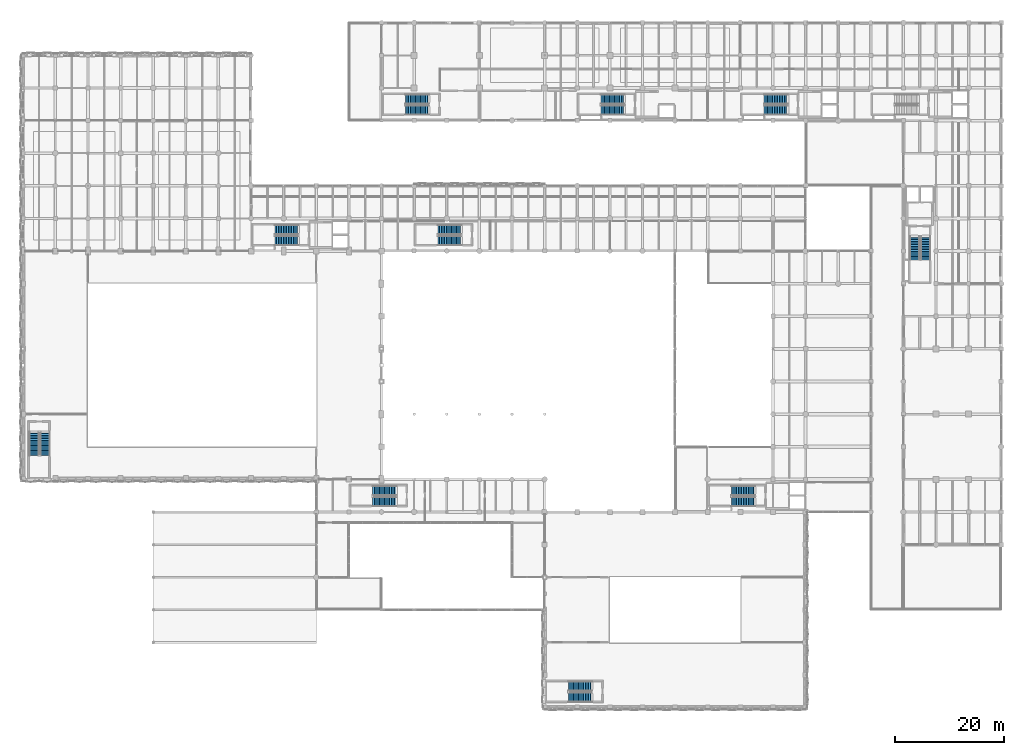
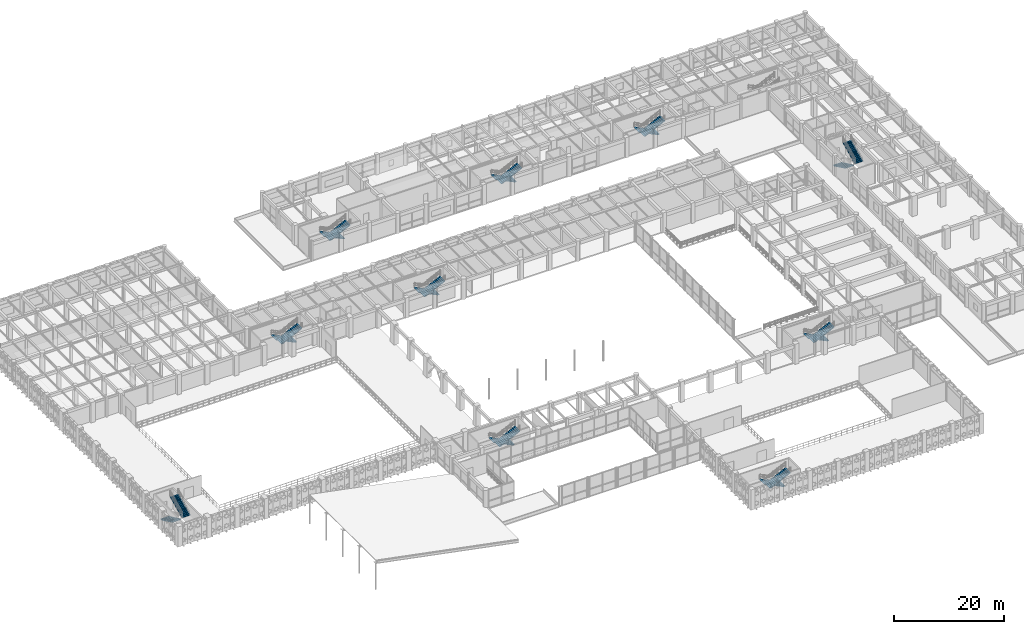
# One storey, part 110 of 133: 20 stair flights, 10 elements without a shape of their own.
"""IFC4 building model written with IfcOpenShell, lengths in metres."""

from ifc_helpers import new_model, si_unit, direction, frame, origin, place, context, subcontext, project, spatial, polyline, outline, extrude, material, type_object, element, aggregate, save


model = new_model("IFC4")

# Units and contexts
model_context = context("Model", 3, precision=1e-05, world=origin(), true_north=direction((0.0, 1.0)))
body_context = subcontext(model_context, "Body", "Model", "MODEL_VIEW")
ifc_project = project(units=[si_unit("LENGTHUNIT", "METRE"), si_unit("AREAUNIT", "SQUARE_METRE"), si_unit("VOLUMEUNIT", "CUBIC_METRE"), si_unit("PLANEANGLEUNIT", "RADIAN"), si_unit("MASSUNIT", "GRAM", prefix="KILO"), si_unit("THERMODYNAMICTEMPERATUREUNIT", "KELVIN"), si_unit("POWERUNIT", "WATT")], contexts=[model_context])

# Site, building, storey
site_placement = place(None, origin())
site = spatial("IfcSite", under=ifc_project, at=site_placement, CompositionType="ELEMENT")
building_placement = place(site_placement, origin())
building = spatial("IfcBuilding", under=site, at=building_placement, Name="Phaisarnlok Congress Hotel", CompositionType="ELEMENT")
storey_placement = place(building_placement, frame((0.0, 0.0, 6.0)))
storey = spatial("IfcBuildingStorey", under=building, at=storey_placement, Name="L01", CompositionType="ELEMENT", Elevation=6.0)

# Stair, stair flights
ifc_material = material(Name="Concrete C40/50", Category="concrete")
stair_type = type_object("IfcStairType", Name="STR-DOG-03", PredefinedType="HALF_TURN_STAIR", material=ifc_material)
stair_1_placement = place(storey_placement, origin())
stair_1 = element("IfcStair", 1, at=stair_1_placement, inside=storey, type_object=stair_type, Name="L01 ST-01", PredefinedType="HALF_TURN_STAIR")
stair_flight_type = type_object("IfcStairFlightType", Name="SFL-RC-03", PredefinedType="STRAIGHT", material=ifc_material)
stair_flight_1_placement = place(storey_placement, frame((50.719970703125, 87.909912109375, 0.0), z_axis=(0.0, 0.0, 1.0), x_axis=(-1.0, 0.0, 0.0)))
stair_flight_1 = element("IfcStairFlight", 2, at=stair_flight_1_placement, type_object=stair_flight_type, Name="ST-01 flight 1", NumberOfRisers=15, NumberOfTreads=14, PredefinedType="STRAIGHT", RiserHeight=0.15, TreadLength=0.31, context=body_context, shape_type="SweptSolid", body=[
    extrude(outline(polyline([(0.0, 0.0), (0.0, 0.14990234375), (0.31005859375, 0.14990234375), (0.31005859375, 0.300048828125), (0.6201171875, 0.300048828125), (0.6201171875, 0.449951171875), (0.929931640625, 0.449951171875), (0.929931640625, 0.60009765625), (1.239990234375, 0.60009765625), (1.239990234375, 0.75), (1.550048828125, 0.75), (1.550048828125, 0.89990234375), (1.860107421875, 0.89990234375), (1.860107421875, 1.050048828125), (2.169921875, 1.050048828125), (2.169921875, 1.199951171875), (2.47998046875, 1.199951171875), (2.47998046875, 1.35009765625), (2.7900390625, 1.35009765625), (2.7900390625, 1.5), (3.10009765625, 1.5), (3.10009765625, 1.64990234375), (3.409912109375, 1.64990234375), (3.409912109375, 1.800048828125), (3.719970703125, 1.800048828125), (3.719970703125, 1.949951171875), (4.030029296875, 1.949951171875), (4.030029296875, 2.10009765625), (4.340087890625, 2.10009765625), (4.340087890625, 2.25), (4.340087890625, 1.933349609375), (0.34423828125, 0.0), (0.0, 0.0)])), frame((0.0, 0.89013671875, 0.0), z_axis=(0.0, -1.0, 0.0), x_axis=(1.0, 0.0, 0.0)), (0.0, 0.0, 1.0), 1.780029296875),
])
stair_flight_2_placement = place(storey_placement, frame((46.3798828125, 85.889892578125, 2.25), z_axis=(0.0, 0.0, 1.0), x_axis=(1.0, 0.0, 0.0)))
stair_flight_2 = element("IfcStairFlight", 3, at=stair_flight_2_placement, type_object=stair_flight_type, Name="ST-01 flight 2", NumberOfRisers=15, NumberOfTreads=14, PredefinedType="STRAIGHT", RiserHeight=0.15, TreadLength=0.31, context=body_context, shape_type="SweptSolid", body=[
    extrude(outline(polyline([(0.0, 0.0), (0.0, 0.14990234375), (0.31005859375, 0.14990234375), (0.31005859375, 0.300048828125), (0.6201171875, 0.300048828125), (0.6201171875, 0.449951171875), (0.929931640625, 0.449951171875), (0.929931640625, 0.60009765625), (1.239990234375, 0.60009765625), (1.239990234375, 0.75), (1.550048828125, 0.75), (1.550048828125, 0.89990234375), (1.860107421875, 0.89990234375), (1.860107421875, 1.050048828125), (2.169921875, 1.050048828125), (2.169921875, 1.199951171875), (2.47998046875, 1.199951171875), (2.47998046875, 1.35009765625), (2.7900390625, 1.35009765625), (2.7900390625, 1.5), (3.10009765625, 1.5), (3.10009765625, 1.64990234375), (3.409912109375, 1.64990234375), (3.409912109375, 1.800048828125), (3.719970703125, 1.800048828125), (3.719970703125, 1.949951171875), (4.030029296875, 1.949951171875), (4.030029296875, 2.10009765625), (4.340087890625, 2.10009765625), (4.340087890625, 2.25), (4.340087890625, 1.933349609375), (0.34423828125, 0.0), (0.0, 0.0)])), frame((0.0, 0.89013671875, 0.0), z_axis=(0.0, -1.0, 0.0), x_axis=(1.0, 0.0, 0.0)), (0.0, 0.0, 1.0), 1.780029296875),
])
aggregate(stair_1, [stair_flight_1, stair_flight_2])

stair_2_placement = place(storey_placement, origin())
stair_2 = element("IfcStair", 4, at=stair_2_placement, inside=storey, type_object=stair_type, Name="L01 ST-02", PredefinedType="HALF_TURN_STAIR")
stair_flight_3_placement = place(storey_placement, frame((134.719970703125, 39.909912109375, 0.0), z_axis=(0.0, 0.0, 1.0), x_axis=(-1.0, 0.0, 0.0)))
stair_flight_3 = element("IfcStairFlight", 5, at=stair_flight_3_placement, type_object=stair_flight_type, Name="ST-02 flight 1", NumberOfRisers=15, NumberOfTreads=14, PredefinedType="STRAIGHT", RiserHeight=0.15, TreadLength=0.31, context=body_context, shape_type="SweptSolid", body=[
    extrude(outline(polyline([(0.0, 0.0), (0.0, 0.14990234375), (0.31005859375, 0.14990234375), (0.31005859375, 0.300048828125), (0.6201171875, 0.300048828125), (0.6201171875, 0.449951171875), (0.929931640625, 0.449951171875), (0.929931640625, 0.60009765625), (1.239990234375, 0.60009765625), (1.239990234375, 0.75), (1.550048828125, 0.75), (1.550048828125, 0.89990234375), (1.860107421875, 0.89990234375), (1.860107421875, 1.050048828125), (2.169921875, 1.050048828125), (2.169921875, 1.199951171875), (2.47998046875, 1.199951171875), (2.47998046875, 1.35009765625), (2.7900390625, 1.35009765625), (2.7900390625, 1.5), (3.10009765625, 1.5), (3.10009765625, 1.64990234375), (3.409912109375, 1.64990234375), (3.409912109375, 1.800048828125), (3.719970703125, 1.800048828125), (3.719970703125, 1.949951171875), (4.030029296875, 1.949951171875), (4.030029296875, 2.10009765625), (4.340087890625, 2.10009765625), (4.340087890625, 2.25), (4.340087890625, 1.933349609375), (0.34423828125, 0.0), (0.0, 0.0)])), frame((0.0, 0.89013671875, 0.0), z_axis=(0.0, -1.0, 0.0), x_axis=(1.0, 0.0, 0.0)), (0.0, 0.0, 1.0), 1.780029296875),
])
stair_flight_4_placement = place(storey_placement, frame((130.3798828125, 37.889892578125, 2.25), z_axis=(0.0, 0.0, 1.0), x_axis=(1.0, 0.0, 0.0)))
stair_flight_4 = element("IfcStairFlight", 6, at=stair_flight_4_placement, type_object=stair_flight_type, Name="ST-02 flight 2", NumberOfRisers=15, NumberOfTreads=14, PredefinedType="STRAIGHT", RiserHeight=0.15, TreadLength=0.31, context=body_context, shape_type="SweptSolid", body=[
    extrude(outline(polyline([(0.0, 0.0), (0.0, 0.14990234375), (0.31005859375, 0.14990234375), (0.31005859375, 0.300048828125), (0.6201171875, 0.300048828125), (0.6201171875, 0.449951171875), (0.929931640625, 0.449951171875), (0.929931640625, 0.60009765625), (1.239990234375, 0.60009765625), (1.239990234375, 0.75), (1.550048828125, 0.75), (1.550048828125, 0.89990234375), (1.860107421875, 0.89990234375), (1.860107421875, 1.050048828125), (2.169921875, 1.050048828125), (2.169921875, 1.199951171875), (2.47998046875, 1.199951171875), (2.47998046875, 1.35009765625), (2.7900390625, 1.35009765625), (2.7900390625, 1.5), (3.10009765625, 1.5), (3.10009765625, 1.64990234375), (3.409912109375, 1.64990234375), (3.409912109375, 1.800048828125), (3.719970703125, 1.800048828125), (3.719970703125, 1.949951171875), (4.030029296875, 1.949951171875), (4.030029296875, 2.10009765625), (4.340087890625, 2.10009765625), (4.340087890625, 2.25), (4.340087890625, 1.933349609375), (0.34423828125, 0.0), (0.0, 0.0)])), frame((0.0, 0.89013671875, 0.0), z_axis=(0.0, -1.0, 0.0), x_axis=(1.0, 0.0, 0.0)), (0.0, 0.0, 1.0), 1.780029296875),
])
aggregate(stair_2, [stair_flight_3, stair_flight_4])

stair_3_placement = place(storey_placement, origin())
stair_3 = element("IfcStair", 7, at=stair_3_placement, inside=storey, type_object=stair_type, Name="L01 ST-03", PredefinedType="HALF_TURN_STAIR")
stair_flight_5_placement = place(storey_placement, frame((2.090087890625, 50.719970703125, 0.0), z_axis=(0.0, 0.0, 1.0), x_axis=(0.0, -1.0, 0.0)))
stair_flight_5 = element("IfcStairFlight", 8, at=stair_flight_5_placement, type_object=stair_flight_type, Name="ST-03 flight 1", NumberOfRisers=15, NumberOfTreads=14, PredefinedType="STRAIGHT", RiserHeight=0.15, TreadLength=0.31, context=body_context, shape_type="SweptSolid", body=[
    extrude(outline(polyline([(0.0, 0.0), (0.0, 0.14990234375), (0.31005859375, 0.14990234375), (0.31005859375, 0.300048828125), (0.6201171875, 0.300048828125), (0.6201171875, 0.449951171875), (0.929931640625, 0.449951171875), (0.929931640625, 0.60009765625), (1.239990234375, 0.60009765625), (1.239990234375, 0.75), (1.550048828125, 0.75), (1.550048828125, 0.89990234375), (1.860107421875, 0.89990234375), (1.860107421875, 1.050048828125), (2.169921875, 1.050048828125), (2.169921875, 1.199951171875), (2.47998046875, 1.199951171875), (2.47998046875, 1.35009765625), (2.7900390625, 1.35009765625), (2.7900390625, 1.5), (3.10009765625, 1.5), (3.10009765625, 1.64990234375), (3.409912109375, 1.64990234375), (3.409912109375, 1.800048828125), (3.719970703125, 1.800048828125), (3.719970703125, 1.949951171875), (4.030029296875, 1.949951171875), (4.030029296875, 2.10009765625), (4.340087890625, 2.10009765625), (4.340087890625, 2.25), (4.340087890625, 1.933349609375), (0.34423828125, 0.0), (0.0, 0.0)])), frame((0.0, 0.89013671875, 0.0), z_axis=(0.0, -1.0, 0.0), x_axis=(1.0, 0.0, 0.0)), (0.0, 0.0, 1.0), 1.780029296875),
])
stair_flight_6_placement = place(storey_placement, frame((4.110107421875, 46.3798828125, 2.25), z_axis=(0.0, 0.0, 1.0), x_axis=(0.0, 1.0, 0.0)))
stair_flight_6 = element("IfcStairFlight", 9, at=stair_flight_6_placement, type_object=stair_flight_type, Name="ST-03 flight 2", NumberOfRisers=15, NumberOfTreads=14, PredefinedType="STRAIGHT", RiserHeight=0.15, TreadLength=0.31, context=body_context, shape_type="SweptSolid", body=[
    extrude(outline(polyline([(0.0, 0.0), (0.0, 0.14990234375), (0.31005859375, 0.14990234375), (0.31005859375, 0.300048828125), (0.6201171875, 0.300048828125), (0.6201171875, 0.449951171875), (0.929931640625, 0.449951171875), (0.929931640625, 0.60009765625), (1.239990234375, 0.60009765625), (1.239990234375, 0.75), (1.550048828125, 0.75), (1.550048828125, 0.89990234375), (1.860107421875, 0.89990234375), (1.860107421875, 1.050048828125), (2.169921875, 1.050048828125), (2.169921875, 1.199951171875), (2.47998046875, 1.199951171875), (2.47998046875, 1.35009765625), (2.7900390625, 1.35009765625), (2.7900390625, 1.5), (3.10009765625, 1.5), (3.10009765625, 1.64990234375), (3.409912109375, 1.64990234375), (3.409912109375, 1.800048828125), (3.719970703125, 1.800048828125), (3.719970703125, 1.949951171875), (4.030029296875, 1.949951171875), (4.030029296875, 2.10009765625), (4.340087890625, 2.10009765625), (4.340087890625, 2.25), (4.340087890625, 1.933349609375), (0.34423828125, 0.0), (0.0, 0.0)])), frame((0.0, 0.89013671875, 0.0), z_axis=(0.0, -1.0, 0.0), x_axis=(1.0, 0.0, 0.0)), (0.0, 0.0, 1.0), 1.780029296875),
])
aggregate(stair_3, [stair_flight_5, stair_flight_6])

stair_4_placement = place(storey_placement, origin())
stair_4 = element("IfcStair", 10, at=stair_4_placement, inside=storey, type_object=stair_type, Name="L01 ST-04", PredefinedType="HALF_TURN_STAIR")
stair_flight_7_placement = place(storey_placement, frame((104.719970703125, 3.909912109375, 0.0), z_axis=(0.0, 0.0, 1.0), x_axis=(-1.0, 0.0, 0.0)))
stair_flight_7 = element("IfcStairFlight", 11, at=stair_flight_7_placement, type_object=stair_flight_type, Name="ST-04 flight 1", NumberOfRisers=15, NumberOfTreads=14, PredefinedType="STRAIGHT", RiserHeight=0.15, TreadLength=0.31, context=body_context, shape_type="SweptSolid", body=[
    extrude(outline(polyline([(0.0, 0.0), (0.0, 0.14990234375), (0.31005859375, 0.14990234375), (0.31005859375, 0.300048828125), (0.6201171875, 0.300048828125), (0.6201171875, 0.449951171875), (0.929931640625, 0.449951171875), (0.929931640625, 0.60009765625), (1.239990234375, 0.60009765625), (1.239990234375, 0.75), (1.550048828125, 0.75), (1.550048828125, 0.89990234375), (1.860107421875, 0.89990234375), (1.860107421875, 1.050048828125), (2.169921875, 1.050048828125), (2.169921875, 1.199951171875), (2.47998046875, 1.199951171875), (2.47998046875, 1.35009765625), (2.7900390625, 1.35009765625), (2.7900390625, 1.5), (3.10009765625, 1.5), (3.10009765625, 1.64990234375), (3.409912109375, 1.64990234375), (3.409912109375, 1.800048828125), (3.719970703125, 1.800048828125), (3.719970703125, 1.949951171875), (4.030029296875, 1.949951171875), (4.030029296875, 2.10009765625), (4.340087890625, 2.10009765625), (4.340087890625, 2.25), (4.340087890625, 1.933349609375), (0.34423828125, 0.0), (0.0, 0.0)])), frame((0.0, 0.89013671875, 0.0), z_axis=(0.0, -1.0, 0.0), x_axis=(1.0, 0.0, 0.0)), (0.0, 0.0, 1.0), 1.780029296875),
])
stair_flight_8_placement = place(storey_placement, frame((100.3798828125, 1.889892578125, 2.25), z_axis=(0.0, 0.0, 1.0), x_axis=(1.0, 0.0, 0.0)))
stair_flight_8 = element("IfcStairFlight", 12, at=stair_flight_8_placement, type_object=stair_flight_type, Name="ST-04 flight 2", NumberOfRisers=15, NumberOfTreads=14, PredefinedType="STRAIGHT", RiserHeight=0.15, TreadLength=0.31, context=body_context, shape_type="SweptSolid", body=[
    extrude(outline(polyline([(0.0, 0.0), (0.0, 0.14990234375), (0.31005859375, 0.14990234375), (0.31005859375, 0.300048828125), (0.6201171875, 0.300048828125), (0.6201171875, 0.449951171875), (0.929931640625, 0.449951171875), (0.929931640625, 0.60009765625), (1.239990234375, 0.60009765625), (1.239990234375, 0.75), (1.550048828125, 0.75), (1.550048828125, 0.89990234375), (1.860107421875, 0.89990234375), (1.860107421875, 1.050048828125), (2.169921875, 1.050048828125), (2.169921875, 1.199951171875), (2.47998046875, 1.199951171875), (2.47998046875, 1.35009765625), (2.7900390625, 1.35009765625), (2.7900390625, 1.5), (3.10009765625, 1.5), (3.10009765625, 1.64990234375), (3.409912109375, 1.64990234375), (3.409912109375, 1.800048828125), (3.719970703125, 1.800048828125), (3.719970703125, 1.949951171875), (4.030029296875, 1.949951171875), (4.030029296875, 2.10009765625), (4.340087890625, 2.10009765625), (4.340087890625, 2.25), (4.340087890625, 1.933349609375), (0.34423828125, 0.0), (0.0, 0.0)])), frame((0.0, 0.89013671875, 0.0), z_axis=(0.0, -1.0, 0.0), x_axis=(1.0, 0.0, 0.0)), (0.0, 0.0, 1.0), 1.780029296875),
])
aggregate(stair_4, [stair_flight_7, stair_flight_8])

stair_5_placement = place(storey_placement, origin())
stair_5 = element("IfcStair", 13, at=stair_5_placement, inside=storey, type_object=stair_type, Name="L01 ST-06", PredefinedType="HALF_TURN_STAIR")
stair_flight_9_placement = place(storey_placement, frame((140.719970703125, 111.909912109375, 0.0), z_axis=(0.0, 0.0, 1.0), x_axis=(-1.0, 0.0, 0.0)))
stair_flight_9 = element("IfcStairFlight", 14, at=stair_flight_9_placement, type_object=stair_flight_type, Name="ST-06 flight 1", NumberOfRisers=15, NumberOfTreads=14, PredefinedType="STRAIGHT", RiserHeight=0.15, TreadLength=0.31, context=body_context, shape_type="SweptSolid", body=[
    extrude(outline(polyline([(0.0, 0.0), (0.0, 0.14990234375), (0.31005859375, 0.14990234375), (0.31005859375, 0.300048828125), (0.6201171875, 0.300048828125), (0.6201171875, 0.449951171875), (0.929931640625, 0.449951171875), (0.929931640625, 0.60009765625), (1.239990234375, 0.60009765625), (1.239990234375, 0.75), (1.550048828125, 0.75), (1.550048828125, 0.89990234375), (1.860107421875, 0.89990234375), (1.860107421875, 1.050048828125), (2.169921875, 1.050048828125), (2.169921875, 1.199951171875), (2.47998046875, 1.199951171875), (2.47998046875, 1.35009765625), (2.7900390625, 1.35009765625), (2.7900390625, 1.5), (3.10009765625, 1.5), (3.10009765625, 1.64990234375), (3.409912109375, 1.64990234375), (3.409912109375, 1.800048828125), (3.719970703125, 1.800048828125), (3.719970703125, 1.949951171875), (4.030029296875, 1.949951171875), (4.030029296875, 2.10009765625), (4.340087890625, 2.10009765625), (4.340087890625, 2.25), (4.340087890625, 1.933349609375), (0.34423828125, 0.0), (0.0, 0.0)])), frame((0.0, 0.89013671875, 0.0), z_axis=(0.0, -1.0, 0.0), x_axis=(1.0, 0.0, 0.0)), (0.0, 0.0, 1.0), 1.780029296875),
])
stair_flight_10_placement = place(storey_placement, frame((136.3798828125, 109.889892578125, 2.25), z_axis=(0.0, 0.0, 1.0), x_axis=(1.0, 0.0, 0.0)))
stair_flight_10 = element("IfcStairFlight", 15, at=stair_flight_10_placement, type_object=stair_flight_type, Name="ST-06 flight 2", NumberOfRisers=15, NumberOfTreads=14, PredefinedType="STRAIGHT", RiserHeight=0.15, TreadLength=0.31, context=body_context, shape_type="SweptSolid", body=[
    extrude(outline(polyline([(0.0, 0.0), (0.0, 0.14990234375), (0.31005859375, 0.14990234375), (0.31005859375, 0.300048828125), (0.6201171875, 0.300048828125), (0.6201171875, 0.449951171875), (0.929931640625, 0.449951171875), (0.929931640625, 0.60009765625), (1.239990234375, 0.60009765625), (1.239990234375, 0.75), (1.550048828125, 0.75), (1.550048828125, 0.89990234375), (1.860107421875, 0.89990234375), (1.860107421875, 1.050048828125), (2.169921875, 1.050048828125), (2.169921875, 1.199951171875), (2.47998046875, 1.199951171875), (2.47998046875, 1.35009765625), (2.7900390625, 1.35009765625), (2.7900390625, 1.5), (3.10009765625, 1.5), (3.10009765625, 1.64990234375), (3.409912109375, 1.64990234375), (3.409912109375, 1.800048828125), (3.719970703125, 1.800048828125), (3.719970703125, 1.949951171875), (4.030029296875, 1.949951171875), (4.030029296875, 2.10009765625), (4.340087890625, 2.10009765625), (4.340087890625, 2.25), (4.340087890625, 1.933349609375), (0.34423828125, 0.0), (0.0, 0.0)])), frame((0.0, 0.89013671875, 0.0), z_axis=(0.0, -1.0, 0.0), x_axis=(1.0, 0.0, 0.0)), (0.0, 0.0, 1.0), 1.780029296875),
])
aggregate(stair_5, [stair_flight_9, stair_flight_10])

stair_6_placement = place(storey_placement, origin())
stair_6 = element("IfcStair", 16, at=stair_6_placement, inside=storey, type_object=stair_type, Name="L01 ST-07", PredefinedType="HALF_TURN_STAIR")
stair_flight_11_placement = place(storey_placement, frame((110.719970703125, 111.909912109375, 0.0), z_axis=(0.0, 0.0, 1.0), x_axis=(-1.0, 0.0, 0.0)))
stair_flight_11 = element("IfcStairFlight", 17, at=stair_flight_11_placement, type_object=stair_flight_type, Name="ST-07 flight 1", NumberOfRisers=15, NumberOfTreads=14, PredefinedType="STRAIGHT", RiserHeight=0.15, TreadLength=0.31, context=body_context, shape_type="SweptSolid", body=[
    extrude(outline(polyline([(0.0, 0.0), (0.0, 0.14990234375), (0.31005859375, 0.14990234375), (0.31005859375, 0.300048828125), (0.6201171875, 0.300048828125), (0.6201171875, 0.449951171875), (0.929931640625, 0.449951171875), (0.929931640625, 0.60009765625), (1.239990234375, 0.60009765625), (1.239990234375, 0.75), (1.550048828125, 0.75), (1.550048828125, 0.89990234375), (1.860107421875, 0.89990234375), (1.860107421875, 1.050048828125), (2.169921875, 1.050048828125), (2.169921875, 1.199951171875), (2.47998046875, 1.199951171875), (2.47998046875, 1.35009765625), (2.7900390625, 1.35009765625), (2.7900390625, 1.5), (3.10009765625, 1.5), (3.10009765625, 1.64990234375), (3.409912109375, 1.64990234375), (3.409912109375, 1.800048828125), (3.719970703125, 1.800048828125), (3.719970703125, 1.949951171875), (4.030029296875, 1.949951171875), (4.030029296875, 2.10009765625), (4.340087890625, 2.10009765625), (4.340087890625, 2.25), (4.340087890625, 1.933349609375), (0.34423828125, 0.0), (0.0, 0.0)])), frame((0.0, 0.89013671875, 0.0), z_axis=(0.0, -1.0, 0.0), x_axis=(1.0, 0.0, 0.0)), (0.0, 0.0, 1.0), 1.780029296875),
])
stair_flight_12_placement = place(storey_placement, frame((106.3798828125, 109.889892578125, 2.25), z_axis=(0.0, 0.0, 1.0), x_axis=(1.0, 0.0, 0.0)))
stair_flight_12 = element("IfcStairFlight", 18, at=stair_flight_12_placement, type_object=stair_flight_type, Name="ST-07 flight 2", NumberOfRisers=15, NumberOfTreads=14, PredefinedType="STRAIGHT", RiserHeight=0.15, TreadLength=0.31, context=body_context, shape_type="SweptSolid", body=[
    extrude(outline(polyline([(0.0, 0.0), (0.0, 0.14990234375), (0.31005859375, 0.14990234375), (0.31005859375, 0.300048828125), (0.6201171875, 0.300048828125), (0.6201171875, 0.449951171875), (0.929931640625, 0.449951171875), (0.929931640625, 0.60009765625), (1.239990234375, 0.60009765625), (1.239990234375, 0.75), (1.550048828125, 0.75), (1.550048828125, 0.89990234375), (1.860107421875, 0.89990234375), (1.860107421875, 1.050048828125), (2.169921875, 1.050048828125), (2.169921875, 1.199951171875), (2.47998046875, 1.199951171875), (2.47998046875, 1.35009765625), (2.7900390625, 1.35009765625), (2.7900390625, 1.5), (3.10009765625, 1.5), (3.10009765625, 1.64990234375), (3.409912109375, 1.64990234375), (3.409912109375, 1.800048828125), (3.719970703125, 1.800048828125), (3.719970703125, 1.949951171875), (4.030029296875, 1.949951171875), (4.030029296875, 2.10009765625), (4.340087890625, 2.10009765625), (4.340087890625, 2.25), (4.340087890625, 1.933349609375), (0.34423828125, 0.0), (0.0, 0.0)])), frame((0.0, 0.89013671875, 0.0), z_axis=(0.0, -1.0, 0.0), x_axis=(1.0, 0.0, 0.0)), (0.0, 0.0, 1.0), 1.780029296875),
])
aggregate(stair_6, [stair_flight_11, stair_flight_12])

stair_7_placement = place(storey_placement, origin())
stair_7 = element("IfcStair", 19, at=stair_7_placement, inside=storey, type_object=stair_type, Name="L01 ST-09", PredefinedType="HALF_TURN_STAIR")
stair_flight_13_placement = place(storey_placement, frame((164.090087890625, 86.719970703125, 0.0), z_axis=(0.0, 0.0, 1.0), x_axis=(0.0, -1.0, 0.0)))
stair_flight_13 = element("IfcStairFlight", 20, at=stair_flight_13_placement, type_object=stair_flight_type, Name="ST-09 flight 1", NumberOfRisers=15, NumberOfTreads=14, PredefinedType="STRAIGHT", RiserHeight=0.15, TreadLength=0.31, context=body_context, shape_type="SweptSolid", body=[
    extrude(outline(polyline([(0.0, 0.0), (0.0, 0.14990234375), (0.31005859375, 0.14990234375), (0.31005859375, 0.300048828125), (0.6201171875, 0.300048828125), (0.6201171875, 0.449951171875), (0.929931640625, 0.449951171875), (0.929931640625, 0.60009765625), (1.239990234375, 0.60009765625), (1.239990234375, 0.75), (1.550048828125, 0.75), (1.550048828125, 0.89990234375), (1.860107421875, 0.89990234375), (1.860107421875, 1.050048828125), (2.169921875, 1.050048828125), (2.169921875, 1.199951171875), (2.47998046875, 1.199951171875), (2.47998046875, 1.35009765625), (2.7900390625, 1.35009765625), (2.7900390625, 1.5), (3.10009765625, 1.5), (3.10009765625, 1.64990234375), (3.409912109375, 1.64990234375), (3.409912109375, 1.800048828125), (3.719970703125, 1.800048828125), (3.719970703125, 1.949951171875), (4.030029296875, 1.949951171875), (4.030029296875, 2.10009765625), (4.340087890625, 2.10009765625), (4.340087890625, 2.25), (4.340087890625, 1.933349609375), (0.34423828125, 0.0), (0.0, 0.0)])), frame((0.0, 0.89013671875, 0.0), z_axis=(0.0, -1.0, 0.0), x_axis=(1.0, 0.0, 0.0)), (0.0, 0.0, 1.0), 1.780029296875),
])
stair_flight_14_placement = place(storey_placement, frame((166.110107421875, 82.3798828125, 2.25), z_axis=(0.0, 0.0, 1.0), x_axis=(0.0, 1.0, 0.0)))
stair_flight_14 = element("IfcStairFlight", 21, at=stair_flight_14_placement, type_object=stair_flight_type, Name="ST-09 flight 2", NumberOfRisers=15, NumberOfTreads=14, PredefinedType="STRAIGHT", RiserHeight=0.15, TreadLength=0.31, context=body_context, shape_type="SweptSolid", body=[
    extrude(outline(polyline([(0.0, 0.0), (0.0, 0.14990234375), (0.31005859375, 0.14990234375), (0.31005859375, 0.300048828125), (0.6201171875, 0.300048828125), (0.6201171875, 0.449951171875), (0.929931640625, 0.449951171875), (0.929931640625, 0.60009765625), (1.239990234375, 0.60009765625), (1.239990234375, 0.75), (1.550048828125, 0.75), (1.550048828125, 0.89990234375), (1.860107421875, 0.89990234375), (1.860107421875, 1.050048828125), (2.169921875, 1.050048828125), (2.169921875, 1.199951171875), (2.47998046875, 1.199951171875), (2.47998046875, 1.35009765625), (2.7900390625, 1.35009765625), (2.7900390625, 1.5), (3.10009765625, 1.5), (3.10009765625, 1.64990234375), (3.409912109375, 1.64990234375), (3.409912109375, 1.800048828125), (3.719970703125, 1.800048828125), (3.719970703125, 1.949951171875), (4.030029296875, 1.949951171875), (4.030029296875, 2.10009765625), (4.340087890625, 2.10009765625), (4.340087890625, 2.25), (4.340087890625, 1.933349609375), (0.34423828125, 0.0), (0.0, 0.0)])), frame((0.0, 0.89013671875, 0.0), z_axis=(0.0, -1.0, 0.0), x_axis=(1.0, 0.0, 0.0)), (0.0, 0.0, 1.0), 1.780029296875),
])
aggregate(stair_7, [stair_flight_13, stair_flight_14])

stair_8_placement = place(storey_placement, origin())
stair_8 = element("IfcStair", 22, at=stair_8_placement, inside=storey, type_object=stair_type, Name="L01 ST-10", PredefinedType="HALF_TURN_STAIR")
stair_flight_15_placement = place(storey_placement, frame((74.719970703125, 111.909912109375, 0.0), z_axis=(0.0, 0.0, 1.0), x_axis=(-1.0, 0.0, 0.0)))
stair_flight_15 = element("IfcStairFlight", 23, at=stair_flight_15_placement, type_object=stair_flight_type, Name="ST-10 flight 1", NumberOfRisers=15, NumberOfTreads=14, PredefinedType="STRAIGHT", RiserHeight=0.15, TreadLength=0.31, context=body_context, shape_type="SweptSolid", body=[
    extrude(outline(polyline([(0.0, 0.0), (0.0, 0.14990234375), (0.31005859375, 0.14990234375), (0.31005859375, 0.300048828125), (0.6201171875, 0.300048828125), (0.6201171875, 0.449951171875), (0.929931640625, 0.449951171875), (0.929931640625, 0.60009765625), (1.239990234375, 0.60009765625), (1.239990234375, 0.75), (1.550048828125, 0.75), (1.550048828125, 0.89990234375), (1.860107421875, 0.89990234375), (1.860107421875, 1.050048828125), (2.169921875, 1.050048828125), (2.169921875, 1.199951171875), (2.47998046875, 1.199951171875), (2.47998046875, 1.35009765625), (2.7900390625, 1.35009765625), (2.7900390625, 1.5), (3.10009765625, 1.5), (3.10009765625, 1.64990234375), (3.409912109375, 1.64990234375), (3.409912109375, 1.800048828125), (3.719970703125, 1.800048828125), (3.719970703125, 1.949951171875), (4.030029296875, 1.949951171875), (4.030029296875, 2.10009765625), (4.340087890625, 2.10009765625), (4.340087890625, 2.25), (4.340087890625, 1.933349609375), (0.34423828125, 0.0), (0.0, 0.0)])), frame((0.0, 0.89013671875, 0.0), z_axis=(0.0, -1.0, 0.0), x_axis=(1.0, 0.0, 0.0)), (0.0, 0.0, 1.0), 1.780029296875),
])
stair_flight_16_placement = place(storey_placement, frame((70.3798828125, 109.889892578125, 2.25), z_axis=(0.0, 0.0, 1.0), x_axis=(1.0, 0.0, 0.0)))
stair_flight_16 = element("IfcStairFlight", 24, at=stair_flight_16_placement, type_object=stair_flight_type, Name="ST-10 flight 2", NumberOfRisers=15, NumberOfTreads=14, PredefinedType="STRAIGHT", RiserHeight=0.15, TreadLength=0.31, context=body_context, shape_type="SweptSolid", body=[
    extrude(outline(polyline([(0.0, 0.0), (0.0, 0.14990234375), (0.31005859375, 0.14990234375), (0.31005859375, 0.300048828125), (0.6201171875, 0.300048828125), (0.6201171875, 0.449951171875), (0.929931640625, 0.449951171875), (0.929931640625, 0.60009765625), (1.239990234375, 0.60009765625), (1.239990234375, 0.75), (1.550048828125, 0.75), (1.550048828125, 0.89990234375), (1.860107421875, 0.89990234375), (1.860107421875, 1.050048828125), (2.169921875, 1.050048828125), (2.169921875, 1.199951171875), (2.47998046875, 1.199951171875), (2.47998046875, 1.35009765625), (2.7900390625, 1.35009765625), (2.7900390625, 1.5), (3.10009765625, 1.5), (3.10009765625, 1.64990234375), (3.409912109375, 1.64990234375), (3.409912109375, 1.800048828125), (3.719970703125, 1.800048828125), (3.719970703125, 1.949951171875), (4.030029296875, 1.949951171875), (4.030029296875, 2.10009765625), (4.340087890625, 2.10009765625), (4.340087890625, 2.25), (4.340087890625, 1.933349609375), (0.34423828125, 0.0), (0.0, 0.0)])), frame((0.0, 0.89013671875, 0.0), z_axis=(0.0, -1.0, 0.0), x_axis=(1.0, 0.0, 0.0)), (0.0, 0.0, 1.0), 1.780029296875),
])
aggregate(stair_8, [stair_flight_15, stair_flight_16])

stair_9_placement = place(storey_placement, origin())
stair_9 = element("IfcStair", 25, at=stair_9_placement, inside=storey, type_object=stair_type, Name="L01 ST-11", PredefinedType="HALF_TURN_STAIR")
stair_flight_17_placement = place(storey_placement, frame((80.719970703125, 87.909912109375, 0.0), z_axis=(0.0, 0.0, 1.0), x_axis=(-1.0, 0.0, 0.0)))
stair_flight_17 = element("IfcStairFlight", 26, at=stair_flight_17_placement, type_object=stair_flight_type, Name="ST-11 flight 1", NumberOfRisers=15, NumberOfTreads=14, PredefinedType="STRAIGHT", RiserHeight=0.15, TreadLength=0.31, context=body_context, shape_type="SweptSolid", body=[
    extrude(outline(polyline([(0.0, 0.0), (0.0, 0.14990234375), (0.31005859375, 0.14990234375), (0.31005859375, 0.300048828125), (0.6201171875, 0.300048828125), (0.6201171875, 0.449951171875), (0.929931640625, 0.449951171875), (0.929931640625, 0.60009765625), (1.239990234375, 0.60009765625), (1.239990234375, 0.75), (1.550048828125, 0.75), (1.550048828125, 0.89990234375), (1.860107421875, 0.89990234375), (1.860107421875, 1.050048828125), (2.169921875, 1.050048828125), (2.169921875, 1.199951171875), (2.47998046875, 1.199951171875), (2.47998046875, 1.35009765625), (2.7900390625, 1.35009765625), (2.7900390625, 1.5), (3.10009765625, 1.5), (3.10009765625, 1.64990234375), (3.409912109375, 1.64990234375), (3.409912109375, 1.800048828125), (3.719970703125, 1.800048828125), (3.719970703125, 1.949951171875), (4.030029296875, 1.949951171875), (4.030029296875, 2.10009765625), (4.340087890625, 2.10009765625), (4.340087890625, 2.25), (4.340087890625, 1.933349609375), (0.34423828125, 0.0), (0.0, 0.0)])), frame((0.0, 0.89013671875, 0.0), z_axis=(0.0, -1.0, 0.0), x_axis=(1.0, 0.0, 0.0)), (0.0, 0.0, 1.0), 1.780029296875),
])
stair_flight_18_placement = place(storey_placement, frame((76.3798828125, 85.889892578125, 2.25), z_axis=(0.0, 0.0, 1.0), x_axis=(1.0, 0.0, 0.0)))
stair_flight_18 = element("IfcStairFlight", 27, at=stair_flight_18_placement, type_object=stair_flight_type, Name="ST-11 flight 2", NumberOfRisers=15, NumberOfTreads=14, PredefinedType="STRAIGHT", RiserHeight=0.15, TreadLength=0.31, context=body_context, shape_type="SweptSolid", body=[
    extrude(outline(polyline([(0.0, 0.0), (0.0, 0.14990234375), (0.31005859375, 0.14990234375), (0.31005859375, 0.300048828125), (0.6201171875, 0.300048828125), (0.6201171875, 0.449951171875), (0.929931640625, 0.449951171875), (0.929931640625, 0.60009765625), (1.239990234375, 0.60009765625), (1.239990234375, 0.75), (1.550048828125, 0.75), (1.550048828125, 0.89990234375), (1.860107421875, 0.89990234375), (1.860107421875, 1.050048828125), (2.169921875, 1.050048828125), (2.169921875, 1.199951171875), (2.47998046875, 1.199951171875), (2.47998046875, 1.35009765625), (2.7900390625, 1.35009765625), (2.7900390625, 1.5), (3.10009765625, 1.5), (3.10009765625, 1.64990234375), (3.409912109375, 1.64990234375), (3.409912109375, 1.800048828125), (3.719970703125, 1.800048828125), (3.719970703125, 1.949951171875), (4.030029296875, 1.949951171875), (4.030029296875, 2.10009765625), (4.340087890625, 2.10009765625), (4.340087890625, 2.25), (4.340087890625, 1.933349609375), (0.34423828125, 0.0), (0.0, 0.0)])), frame((0.0, 0.89013671875, 0.0), z_axis=(0.0, -1.0, 0.0), x_axis=(1.0, 0.0, 0.0)), (0.0, 0.0, 1.0), 1.780029296875),
])
aggregate(stair_9, [stair_flight_17, stair_flight_18])

stair_10_placement = place(storey_placement, origin())
stair_10 = element("IfcStair", 28, at=stair_10_placement, inside=storey, type_object=stair_type, Name="L01 ST-12", PredefinedType="HALF_TURN_STAIR")
stair_flight_19_placement = place(storey_placement, frame((68.719970703125, 39.909912109375, 0.0), z_axis=(0.0, 0.0, 1.0), x_axis=(-1.0, 0.0, 0.0)))
stair_flight_19 = element("IfcStairFlight", 29, at=stair_flight_19_placement, type_object=stair_flight_type, Name="ST-12 flight 1", NumberOfRisers=15, NumberOfTreads=14, PredefinedType="STRAIGHT", RiserHeight=0.15, TreadLength=0.31, context=body_context, shape_type="SweptSolid", body=[
    extrude(outline(polyline([(0.0, 0.0), (0.0, 0.14990234375), (0.31005859375, 0.14990234375), (0.31005859375, 0.300048828125), (0.6201171875, 0.300048828125), (0.6201171875, 0.449951171875), (0.929931640625, 0.449951171875), (0.929931640625, 0.60009765625), (1.239990234375, 0.60009765625), (1.239990234375, 0.75), (1.550048828125, 0.75), (1.550048828125, 0.89990234375), (1.860107421875, 0.89990234375), (1.860107421875, 1.050048828125), (2.169921875, 1.050048828125), (2.169921875, 1.199951171875), (2.47998046875, 1.199951171875), (2.47998046875, 1.35009765625), (2.7900390625, 1.35009765625), (2.7900390625, 1.5), (3.10009765625, 1.5), (3.10009765625, 1.64990234375), (3.409912109375, 1.64990234375), (3.409912109375, 1.800048828125), (3.719970703125, 1.800048828125), (3.719970703125, 1.949951171875), (4.030029296875, 1.949951171875), (4.030029296875, 2.10009765625), (4.340087890625, 2.10009765625), (4.340087890625, 2.25), (4.340087890625, 1.933349609375), (0.34423828125, 0.0), (0.0, 0.0)])), frame((0.0, 0.89013671875, 0.0), z_axis=(0.0, -1.0, 0.0), x_axis=(1.0, 0.0, 0.0)), (0.0, 0.0, 1.0), 1.780029296875),
])
stair_flight_20_placement = place(storey_placement, frame((64.3798828125, 37.889892578125, 2.25), z_axis=(0.0, 0.0, 1.0), x_axis=(1.0, 0.0, 0.0)))
stair_flight_20 = element("IfcStairFlight", 30, at=stair_flight_20_placement, type_object=stair_flight_type, Name="ST-12 flight 2", NumberOfRisers=15, NumberOfTreads=14, PredefinedType="STRAIGHT", RiserHeight=0.15, TreadLength=0.31, context=body_context, shape_type="SweptSolid", body=[
    extrude(outline(polyline([(0.0, 0.0), (0.0, 0.14990234375), (0.31005859375, 0.14990234375), (0.31005859375, 0.300048828125), (0.6201171875, 0.300048828125), (0.6201171875, 0.449951171875), (0.929931640625, 0.449951171875), (0.929931640625, 0.60009765625), (1.239990234375, 0.60009765625), (1.239990234375, 0.75), (1.550048828125, 0.75), (1.550048828125, 0.89990234375), (1.860107421875, 0.89990234375), (1.860107421875, 1.050048828125), (2.169921875, 1.050048828125), (2.169921875, 1.199951171875), (2.47998046875, 1.199951171875), (2.47998046875, 1.35009765625), (2.7900390625, 1.35009765625), (2.7900390625, 1.5), (3.10009765625, 1.5), (3.10009765625, 1.64990234375), (3.409912109375, 1.64990234375), (3.409912109375, 1.800048828125), (3.719970703125, 1.800048828125), (3.719970703125, 1.949951171875), (4.030029296875, 1.949951171875), (4.030029296875, 2.10009765625), (4.340087890625, 2.10009765625), (4.340087890625, 2.25), (4.340087890625, 1.933349609375), (0.34423828125, 0.0), (0.0, 0.0)])), frame((0.0, 0.89013671875, 0.0), z_axis=(0.0, -1.0, 0.0), x_axis=(1.0, 0.0, 0.0)), (0.0, 0.0, 1.0), 1.780029296875),
])
aggregate(stair_10, [stair_flight_19, stair_flight_20])

save(model, "model.ifc")
